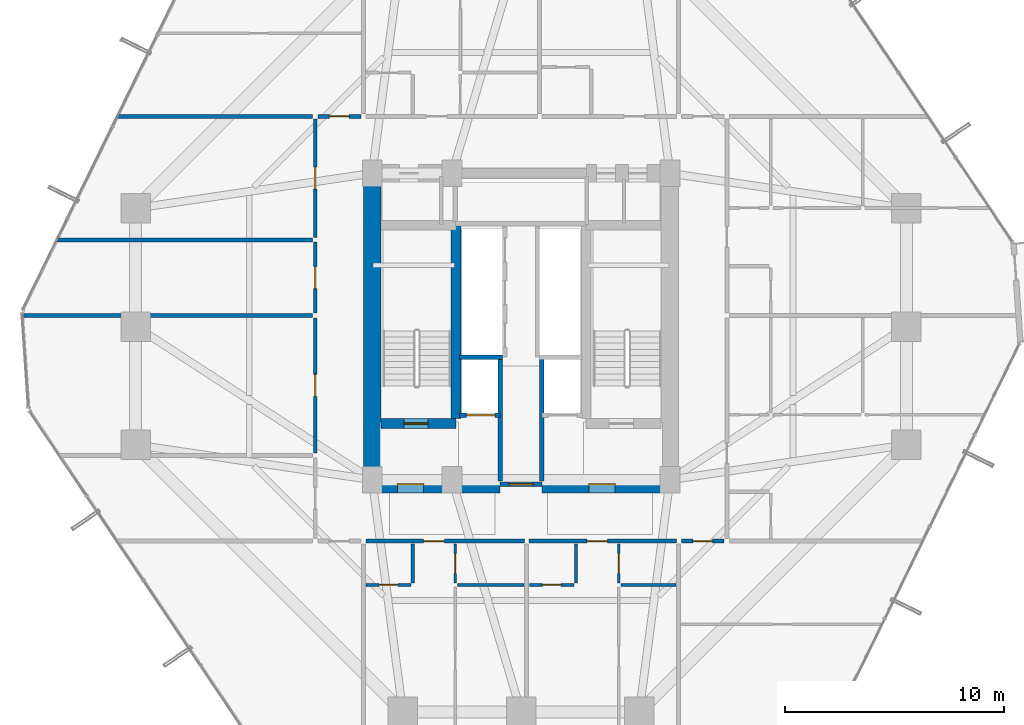
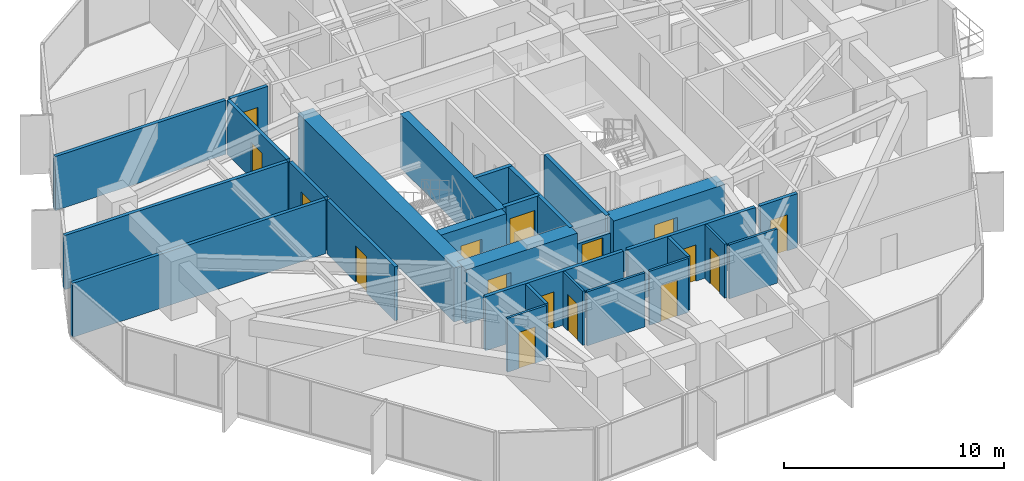
# One storey, part 33 of 37: 28 walls, 16 doors, 16 openings.
"""IFC4 building model written with IfcOpenShell, lengths in metres."""

import ifcopenshell
import ifcopenshell.guid

model = None  # the IFC model being written
_history = None  # IfcOwnerHistory: only IFC2X3 demands one
_inside = {}  # id of a spatial element -> (the spatial element, [elements in it])
_under = {}  # id of a project, library or spatial element -> (it, [spatial elements below it])
_declared = {}  # id of a project -> (the project, [libraries it declares])
_typed = {}  # id of a type object -> (the type object, [elements of that type])
_made_of = {}  # id of a material, layer set ... -> (it, [elements and type objects made of it])


def new_model(schema):
    """Start an empty IFC model of exactly this schema.

    Asked for "IFC4X3", IfcOpenShell would pick the latest addendum, in which some entities
    have other attributes; the version numbers below select the first issue.
    IFC2X3 requires an IfcOwnerHistory on every rooted entity: one is made here for all.
    """
    global model, _history
    if schema == "IFC4X3":
        model = ifcopenshell.file(schema_version=(4, 3, 0, 0))
    else:
        model = ifcopenshell.file(schema=schema)
    _inside.clear()
    _under.clear()
    _declared.clear()
    _typed.clear()
    _made_of.clear()
    _history = None
    if model.schema == "IFC2X3":
        org = make("IfcOrganization", Name="unknown")
        user = make(
            "IfcPersonAndOrganization",
            ThePerson=make("IfcPerson", FamilyName="unknown"),
            TheOrganization=org,
        )
        app = make(
            "IfcApplication",
            ApplicationDeveloper=org,
            Version="unknown",
            ApplicationFullName="unknown",
            ApplicationIdentifier="unknown",
        )
        _history = make(
            "IfcOwnerHistory",
            OwningUser=user,
            OwningApplication=app,
            ChangeAction="ADDED",
            CreationDate=0,
        )
    return model


def make(cls, **values):
    """One entity of the class cls with the attributes given. An attribute that is None is left unset."""
    return model.create_entity(
        cls, **{name: value for name, value in values.items() if value is not None}
    )


def rooted(cls, **values):
    """An entity with a GlobalId (a new one), such as an element, a storey or a relation."""
    return make(cls, GlobalId=ifcopenshell.guid.new(), OwnerHistory=_history, **values)


def si_unit(unit_type, name, prefix=None):
    """IfcSIUnit, for example si_unit("LENGTHUNIT", "METRE", prefix="MILLI")."""
    return make("IfcSIUnit", UnitType=unit_type, Prefix=prefix, Name=name)


def assignment(units):
    """IfcUnitAssignment: the units of a project."""
    return None if units is None else make("IfcUnitAssignment", Units=units)


def point(xyz):
    """IfcCartesianPoint."""
    return None if xyz is None else make("IfcCartesianPoint", Coordinates=xyz)


def direction(xyz):
    """IfcDirection."""
    return None if xyz is None else make("IfcDirection", DirectionRatios=xyz)


def frame(location, z_axis=None, x_axis=None):
    """IfcAxis2Placement3D, a coordinate frame: its origin and axes. An axis left out is left unset."""
    return make(
        "IfcAxis2Placement3D",
        Location=point(location),
        Axis=direction(z_axis),
        RefDirection=direction(x_axis),
    )


def frame_2d(location, x_axis=None):
    """IfcAxis2Placement2D, a coordinate frame in the plane: its origin and x axis."""
    return make(
        "IfcAxis2Placement2D", Location=point(location), RefDirection=direction(x_axis)
    )


def origin():
    """The frame at (0, 0, 0) with its axes left unset."""
    return frame((0.0, 0.0, 0.0))


def place(relative_to, where):
    """IfcLocalPlacement: puts the frame where relative to a parent placement (None: the world)."""
    return make(
        "IfcLocalPlacement", PlacementRelTo=relative_to, RelativePlacement=where
    )


def context(
    kind, dimensions, precision=None, world=None, true_north=None, identifier=None
):
    """IfcGeometricRepresentationContext, for example the 3D "Model" context."""
    return make(
        "IfcGeometricRepresentationContext",
        ContextIdentifier=identifier,
        ContextType=kind,
        CoordinateSpaceDimension=dimensions,
        Precision=precision,
        WorldCoordinateSystem=world,
        TrueNorth=true_north,
    )


def subcontext(parent, identifier, kind, view, scale=None):
    """IfcGeometricRepresentationSubContext, for example "Body" below "Model"."""
    return make(
        "IfcGeometricRepresentationSubContext",
        ContextIdentifier=identifier,
        ContextType=kind,
        ParentContext=parent,
        TargetScale=scale,
        TargetView=view,
    )


def project(units=None, contexts=None):
    """IfcProject with its units and contexts."""
    return rooted(
        "IfcProject",
        Name="project",
        RepresentationContexts=contexts,
        UnitsInContext=assignment(units),
    )


def spatial(cls, under=None, at=None, **own):
    """A site, building, storey or space (cls), placed at a placement, below another one or the project."""
    s = rooted(cls, ObjectPlacement=at, **own)
    if under is not None:
        _under.setdefault(under.id(), (under, []))[1].append(s)
    return s


def profile(cls, at=None, kind="AREA", **sizes):
    """A parametric profile (cls). Its sizes go by their IFC names, for example OverallWidth=200.0."""
    return make(cls, ProfileType=kind, Position=at, **sizes)


def rectangle(**sizes):
    """IfcRectangleProfileDef."""
    return profile("IfcRectangleProfileDef", **sizes)


def extrude(swept, where, along, depth):
    """IfcExtrudedAreaSolid: the profile swept, set in the frame where, extruded along a direction by depth."""
    return make(
        "IfcExtrudedAreaSolid",
        SweptArea=swept,
        Position=where,
        ExtrudedDirection=direction(along),
        Depth=depth,
    )


def shape(context_of_items, identifier, shape_type, items):
    """IfcShapeRepresentation: the items that make up one representation, for example the "Body"."""
    return make(
        "IfcShapeRepresentation",
        ContextOfItems=context_of_items,
        RepresentationIdentifier=identifier,
        RepresentationType=shape_type,
        Items=items,
    )


def source(mapping_origin, context_of_items, identifier, shape_type, items):
    """IfcRepresentationMap: a shape defined once, which mapped items show again and again."""
    return make(
        "IfcRepresentationMap",
        MappingOrigin=mapping_origin,
        MappedRepresentation=shape(context_of_items, identifier, shape_type, items),
    )


def transform(
    local_origin,
    x_axis=None,
    y_axis=None,
    z_axis=None,
    scale=None,
    scale2=None,
    scale3=None,
    uniform=True,
):
    """IfcCartesianTransformationOperator3D, or its non-uniform kind. x_axis, y_axis, z_axis: its Axis1, 2, 3."""
    if uniform:
        return make(
            "IfcCartesianTransformationOperator3D",
            Axis1=direction(x_axis),
            Axis2=direction(y_axis),
            LocalOrigin=point(local_origin),
            Scale=scale,
            Axis3=direction(z_axis),
        )
    return make(
        "IfcCartesianTransformationOperator3DnonUniform",
        Axis1=direction(x_axis),
        Axis2=direction(y_axis),
        LocalOrigin=point(local_origin),
        Scale=scale,
        Axis3=direction(z_axis),
        Scale2=scale2,
        Scale3=scale3,
    )


def mapped(mapping_source, mapping_target):
    """IfcMappedItem: shows the shape of a source again, moved by a transform."""
    return make(
        "IfcMappedItem", MappingSource=mapping_source, MappingTarget=mapping_target
    )


def material(Name=None, Category=None):
    """IfcMaterial."""
    return make("IfcMaterial", Name=Name, Category=Category)


def layer(
    of_material, thickness, ventilated=None, Name=None, Category=None, Priority=None
):
    """IfcMaterialLayer: one layer of a wall or slab, of a material (None: an air gap)."""
    return make(
        "IfcMaterialLayer",
        Material=of_material,
        LayerThickness=thickness,
        IsVentilated=ventilated,
        Name=Name,
        Category=Category,
        Priority=Priority,
    )


def layer_set(layers, Name=None):
    """IfcMaterialLayerSet."""
    return make("IfcMaterialLayerSet", MaterialLayers=layers, LayerSetName=Name)


def made_of(thing, what):
    """Note that an element or type object is made of a material, layer set ...; save() writes the relation."""
    if what is not None:
        _made_of.setdefault(what.id(), (what, []))[1].append(thing)
    return thing


def type_object(cls, material=None, **own):
    """A type object (cls), such as IfcWallType, which elements share."""
    return made_of(rooted(cls, **own), material)


def element(
    cls,
    number,
    at=None,
    inside=None,
    cuts=None,
    type_object=None,
    material=None,
    context=None,
    identifier="Body",
    shape_type=None,
    held_by="IfcProductDefinitionShape",
    body=None,
    shapes=None,
    **own,
):
    """One element of the class cls, such as IfcWall. Its Tag is "e" and its number.

    at: its placement. inside: the storey or other place that contains it. cuts: it is an
    opening in that element (IfcRelVoidsElement). A single representation is given by context,
    identifier, shape_type and body (its items); several are given by shapes. held_by: the class
    of the entity that holds the representations. save() writes the other relations.
    """
    e = rooted(cls, Tag="e%d" % number, ObjectPlacement=at, **own)
    if body is not None:
        shapes = [shape(context, identifier, shape_type, body)]
    if shapes is not None:
        e.Representation = make(held_by, Representations=shapes)
    if inside is not None:
        _inside.setdefault(inside.id(), (inside, []))[1].append(e)
    if cuts is not None:
        rooted(
            "IfcRelVoidsElement", RelatingBuildingElement=cuts, RelatedOpeningElement=e
        )
    if type_object is not None:
        _typed.setdefault(type_object.id(), (type_object, []))[1].append(e)
    return made_of(e, material)


def fill(opening, filler):
    """IfcRelFillsElement: the door or window that sits in an opening."""
    return rooted(
        "IfcRelFillsElement",
        RelatingOpeningElement=opening,
        RelatedBuildingElement=filler,
    )


def aggregate(whole, parts):
    """IfcRelAggregates: a whole, such as a stair, and the parts it consists of."""
    return rooted("IfcRelAggregates", RelatingObject=whole, RelatedObjects=parts)


def save(model, path):
    """Write the relations noted so far, then the file.

    IfcRelAggregates (storeys below a building ...), IfcRelContainedInSpatialStructure (elements
    in a storey), IfcRelDefinesByType, IfcRelAssociatesMaterial and IfcRelDeclares: one each for
    every whole, place, type object, material and project.
    """
    for whole, parts in _under.values():
        aggregate(whole, parts)
    for where, things in _inside.values():
        rooted(
            "IfcRelContainedInSpatialStructure",
            RelatedElements=things,
            RelatingStructure=where,
        )
    for kind, things in _typed.values():
        rooted("IfcRelDefinesByType", RelatedObjects=things, RelatingType=kind)
    for what, things in _made_of.values():
        rooted("IfcRelAssociatesMaterial", RelatedObjects=things, RelatingMaterial=what)
    for by, libraries in _declared.values():
        rooted("IfcRelDeclares", RelatingContext=by, RelatedDefinitions=libraries)
    model.write(path)


model = new_model("IFC4")

# Units and contexts
model_context = context("Model", 3, precision=1e-05, world=origin(), true_north=direction((0.0, 1.0)))
body_context = subcontext(model_context, "Body", "Model", "MODEL_VIEW")
ifc_project = project(units=[si_unit("LENGTHUNIT", "METRE"), si_unit("AREAUNIT", "SQUARE_METRE"), si_unit("VOLUMEUNIT", "CUBIC_METRE"), si_unit("PLANEANGLEUNIT", "RADIAN"), si_unit("MASSUNIT", "GRAM", prefix="KILO")], contexts=[model_context])

# Site, building, storey
site_placement = place(None, origin())
site = spatial("IfcSite", under=ifc_project, at=site_placement, CompositionType="ELEMENT")
building_placement = place(site_placement, origin())
building = spatial("IfcBuilding", under=site, at=building_placement, Name="Veraguas Prism Commons", CompositionType="ELEMENT")
storey_placement = place(building_placement, frame((0.0, 0.0, 37.050048828125)))
storey = spatial("IfcBuildingStorey", under=building, at=storey_placement, Name="L09", CompositionType="ELEMENT", Elevation=37.050048828125)

# Wall, opening, door
ifc_material_1 = material(Name="Concrete C60/75", Category="concrete")
ifc_layer_1 = layer(ifc_material_1, 0.449951171875, Name="Core Internal Shear Wall Lower RC 450", Category="concrete")
ifc_layer_set_1 = layer_set([ifc_layer_1], Name="Concrete C60/75")
wall_type_1 = type_object("IfcWallType", Name="Core Internal Shear Wall Lower RC 450", PredefinedType="SHEAR", material=ifc_layer_set_1)
wall_1_placement = place(storey_placement, frame((17.60009765625, 19.574951171875, 0.0), z_axis=(0.0, 0.0, 1.0), x_axis=(1.0, 0.0, 0.0)))
wall_1 = element("IfcWall", 1, at=wall_1_placement, inside=storey, type_object=wall_type_1, Name="Stair ST-01 South Shear Wall L09", PredefinedType="SHEAR", context=body_context, shape_type="SweptSolid", body=[
    extrude(rectangle(XDim=3.4248046875, YDim=0.449951171875, at=frame_2d((1.71240234375, 0.0))), origin(), (0.0, 0.0, 1.0), 3.0),
])
opening_1_placement = place(wall_1_placement, frame((1.050048828125, 0.0, 0.0)))
opening_1 = element("IfcOpeningElement", 2, at=opening_1_placement, cuts=wall_1, Name="Opening DR-05", PredefinedType="OPENING", context=body_context, shape_type="SweptSolid", body=[
    extrude(rectangle(XDim=1.10009765625, YDim=2.030029296875, at=frame_2d((0.550048828125, 1.01513671875))), frame((0.0, 0.23486328125, 0.0), z_axis=(0.0, -1.0, 0.0), x_axis=(1.0, 0.0, 0.0)), (0.0, 0.0, 1.0), 0.469970703125),
])
ifc_material_2 = material(Name="Steel fire-rated door assembly", Category="steel")
door_type_1 = type_object("IfcDoorType", Name="Protected Stair and Refuge Fire Door 1100x2030", OperationType="NOTDEFINED", PredefinedType="DOOR", material=ifc_material_2)
shared_shape_1 = source(origin(), body_context, "Body", "SweptSolid", [
    extrude(rectangle(XDim=1.10009765625, YDim=2.030029296875, at=frame_2d((0.550048828125, 1.01513671875))), frame((0.0, 0.02490234375, 0.0), z_axis=(0.0, -1.0, 0.0), x_axis=(1.0, 0.0, 0.0)), (0.0, 0.0, 1.0), 0.050048828125),
])
door_1_placement = place(opening_1_placement, origin())
door_1 = element("IfcDoor", 3, at=door_1_placement, inside=storey, type_object=door_type_1, Name="Stair ST-01 Enclosure Door L09", OperationType="SINGLE_SWING_LEFT", OverallHeight=2.030029296875, OverallWidth=1.10009765625, PredefinedType="DOOR", context=body_context, shape_type="MappedRepresentation", body=[
    mapped(shared_shape_1, transform((0.0, 0.0, 0.0), scale=1.0)),
])
fill(opening_1, door_1)

# Walls
wall_2_placement = place(storey_placement, frame((21.02490234375, 19.800048828125, 0.0), z_axis=(0.0, 0.0, 1.0), x_axis=(0.0, 1.0, 0.0)))
element("IfcWall", 4, at=wall_2_placement, inside=storey, type_object=wall_type_1, Name="Stair ST-01 Inner Shear Wall L09", PredefinedType="SHEAR", context=body_context, shape_type="SweptSolid", body=[
    extrude(rectangle(XDim=8.824951171875, YDim=0.449951171875, at=frame_2d((4.41259765625, 0.0))), origin(), (0.0, 0.0, 1.0), 3.0),
])
ifc_layer_2 = layer(ifc_material_1, 0.800048828125, Name="Core Outer Shear Wall Lower RC 800", Category="concrete")
ifc_layer_set_2 = layer_set([ifc_layer_2], Name="Concrete C60/75")
wall_type_2 = type_object("IfcWallType", Name="Core Outer Shear Wall Lower RC 800", PredefinedType="SHEAR", material=ifc_layer_set_2)
wall_3_placement = place(storey_placement, frame((17.199951171875, 16.800048828125, 0.0), z_axis=(0.0, 0.0, 1.0), x_axis=(0.0, 1.0, 0.0)))
element("IfcWall", 5, at=wall_3_placement, inside=storey, type_object=wall_type_2, Name="Central Core West Shear Wall L09", PredefinedType="SHEAR", context=body_context, shape_type="SweptSolid", body=[
    extrude(rectangle(XDim=14.199951171875, YDim=0.800048828125, at=frame_2d((7.10009765625, 0.0))), origin(), (0.0, 0.0, 1.0), 3.0),
])

# Wall, opening, door
wall_4_placement = place(storey_placement, frame((17.199951171875, 16.800048828125, 0.0), z_axis=(0.0, 0.0, 1.0), x_axis=(1.0, 0.0, 0.0)))
wall_4 = element("IfcWall", 6, at=wall_4_placement, inside=storey, type_object=wall_type_2, Name="Central Core South-West Shear Wall L09", PredefinedType="SHEAR", context=body_context, shape_type="SweptSolid", body=[
    extrude(rectangle(XDim=5.85009765625, YDim=0.800048828125, at=frame_2d((2.925048828125, 0.0))), origin(), (0.0, 0.0, 1.0), 3.0),
])
opening_2_placement = place(wall_4_placement, frame((1.14990234375, 0.0, 0.0)))
opening_2 = element("IfcOpeningElement", 7, at=opening_2_placement, cuts=wall_4, Name="Opening DR-06", PredefinedType="OPENING", context=body_context, shape_type="SweptSolid", body=[
    extrude(rectangle(XDim=1.199951171875, YDim=2.030029296875, at=frame_2d((0.60009765625, 1.01513671875))), frame((0.0, 0.409912109375, 0.0), z_axis=(0.0, -1.0, 0.0), x_axis=(1.0, 0.0, 0.0)), (0.0, 0.0, 1.0), 0.820068359375),
])
door_type_2 = type_object("IfcDoorType", Name="Firefighting Lobby Smoke Door 1200x2030", OperationType="NOTDEFINED", PredefinedType="DOOR", material=ifc_material_2)
shared_shape_2 = source(origin(), body_context, "Body", "SweptSolid", [
    extrude(rectangle(XDim=1.199951171875, YDim=2.030029296875, at=frame_2d((0.60009765625, 1.01513671875))), frame((0.0, 0.02490234375, 0.0), z_axis=(0.0, -1.0, 0.0), x_axis=(1.0, 0.0, 0.0)), (0.0, 0.0, 1.0), 0.050048828125),
])
door_2_placement = place(opening_2_placement, origin())
door_2 = element("IfcDoor", 8, at=door_2_placement, inside=storey, type_object=door_type_2, Name="West FF Lobby Door L09", OperationType="SINGLE_SWING_LEFT", OverallHeight=2.030029296875, OverallWidth=1.199951171875, PredefinedType="DOOR", context=body_context, shape_type="MappedRepresentation", body=[
    mapped(shared_shape_2, transform((0.0, 0.0, 0.0), scale=1.0)),
])
fill(opening_2, door_2)

wall_5_placement = place(storey_placement, frame((24.949951171875, 16.800048828125, 0.0), z_axis=(0.0, 0.0, 1.0), x_axis=(1.0, 0.0, 0.0)))
wall_5 = element("IfcWall", 9, at=wall_5_placement, inside=storey, type_object=wall_type_2, Name="Central Core South-East Shear Wall L09", PredefinedType="SHEAR", context=body_context, shape_type="SweptSolid", body=[
    extrude(rectangle(XDim=5.85009765625, YDim=0.800048828125, at=frame_2d((2.925048828125, 0.0))), origin(), (0.0, 0.0, 1.0), 3.0),
])
opening_3_placement = place(wall_5_placement, frame((2.14990234375, 0.0, 0.0)))
opening_3 = element("IfcOpeningElement", 10, at=opening_3_placement, cuts=wall_5, Name="Opening DR-06", PredefinedType="OPENING", context=body_context, shape_type="SweptSolid", body=[
    extrude(rectangle(XDim=1.199951171875, YDim=2.030029296875, at=frame_2d((0.60009765625, 1.01513671875))), frame((0.0, 0.409912109375, 0.0), z_axis=(0.0, -1.0, 0.0), x_axis=(1.0, 0.0, 0.0)), (0.0, 0.0, 1.0), 0.820068359375),
])
door_3_placement = place(opening_3_placement, origin())
door_3 = element("IfcDoor", 11, at=door_3_placement, inside=storey, type_object=door_type_2, Name="East FF Lobby Door L09", OperationType="SINGLE_SWING_LEFT", OverallHeight=2.030029296875, OverallWidth=1.199951171875, PredefinedType="DOOR", context=body_context, shape_type="MappedRepresentation", body=[
    mapped(shared_shape_2, transform((0.0, 0.0, 0.0), scale=1.0)),
])
fill(opening_3, door_3)

ifc_material_3 = material(Name="Autoclaved aerated masonry block 10 MPa", Category="masonry")
ifc_layer_3 = layer(ifc_material_3, 0.179931640625, Name="Corridor and Inter-Tenancy Partition 180", Category="masonry")
ifc_layer_set_3 = layer_set([ifc_layer_3], Name="Autoclaved aerated masonry block 10 MPa")
wall_type_3 = type_object("IfcWallType", Name="Corridor and Inter-Tenancy Partition 180", PredefinedType="PARTITIONING", material=ifc_layer_set_3)
wall_6_placement = place(storey_placement, frame((16.909912109375, 14.199951171875, 0.0), z_axis=(0.0, 0.0, 1.0), x_axis=(1.0, 0.0, 0.0)))
wall_6 = element("IfcWall", 12, at=wall_6_placement, inside=storey, type_object=wall_type_3, Name="WL-L09-PT003", PredefinedType="PARTITIONING", context=body_context, shape_type="SweptSolid", body=[
    extrude(rectangle(XDim=7.238037109375, YDim=0.179931640625, at=frame_2d((3.619140625, 0.0))), origin(), (0.0, 0.0, 1.0), 3.0),
])
opening_4_placement = place(wall_6_placement, frame((2.639892578125, 0.0, 0.0)))
opening_4 = element("IfcOpeningElement", 13, at=opening_4_placement, cuts=wall_6, Name="Opening DR-01", PredefinedType="OPENING", context=body_context, shape_type="SweptSolid", body=[
    extrude(rectangle(XDim=0.949951171875, YDim=2.02001953125, at=frame_2d((0.47509765625, 1.010009765625))), frame((0.0, 0.099853515625, 0.0), z_axis=(0.0, -1.0, 0.0), x_axis=(1.0, 0.0, 0.0)), (0.0, 0.0, 1.0), 0.199951171875),
])
ifc_material_4 = material(Name="Anodised aluminium EN AW-6063 T6", Category="aluminium")
door_type_3 = type_object("IfcDoorType", Name="Apartment Entrance Fire Door 950x2020", OperationType="NOTDEFINED", PredefinedType="DOOR", material=ifc_material_4)
shared_shape_3 = source(origin(), body_context, "Body", "SweptSolid", [
    extrude(rectangle(XDim=0.949951171875, YDim=2.02001953125, at=frame_2d((0.47509765625, 1.010009765625))), frame((0.0, 0.02490234375, 0.0), z_axis=(0.0, -1.0, 0.0), x_axis=(1.0, 0.0, 0.0)), (0.0, 0.0, 1.0), 0.050048828125),
])
door_4_placement = place(opening_4_placement, origin())
door_4 = element("IfcDoor", 14, at=door_4_placement, inside=storey, type_object=door_type_3, Name="Flat 09A Entrance Door", OperationType="SINGLE_SWING_LEFT", OverallHeight=2.02001953125, OverallWidth=0.949951171875, PredefinedType="DOOR", context=body_context, shape_type="MappedRepresentation", body=[
    mapped(shared_shape_3, transform((0.0, 0.0, 0.0), scale=1.0)),
])
fill(opening_4, door_4)

wall_7_placement = place(storey_placement, frame((24.367919921875, 14.199951171875, 0.0), z_axis=(0.0, 0.0, 1.0), x_axis=(1.0, 0.0, 0.0)))
wall_7 = element("IfcWall", 15, at=wall_7_placement, inside=storey, type_object=wall_type_3, Name="WL-L09-PT010", PredefinedType="PARTITIONING", context=body_context, shape_type="SweptSolid", body=[
    extrude(rectangle(XDim=6.72216796875, YDim=0.179931640625, at=frame_2d((3.361083984375, 0.0))), origin(), (0.0, 0.0, 1.0), 3.0),
])
opening_5_placement = place(wall_7_placement, frame((2.639892578125, 0.0, 0.0)))
opening_5 = element("IfcOpeningElement", 16, at=opening_5_placement, cuts=wall_7, Name="Opening DR-01", PredefinedType="OPENING", context=body_context, shape_type="SweptSolid", body=[
    extrude(rectangle(XDim=0.949951171875, YDim=2.02001953125, at=frame_2d((0.47509765625, 1.010009765625))), frame((0.0, 0.099853515625, 0.0), z_axis=(0.0, -1.0, 0.0), x_axis=(1.0, 0.0, 0.0)), (0.0, 0.0, 1.0), 0.199951171875),
])
door_5_placement = place(opening_5_placement, origin())
door_5 = element("IfcDoor", 17, at=door_5_placement, inside=storey, type_object=door_type_3, Name="Flat 09B Entrance Door", OperationType="SINGLE_SWING_LEFT", OverallHeight=2.02001953125, OverallWidth=0.949951171875, PredefinedType="DOOR", context=body_context, shape_type="MappedRepresentation", body=[
    mapped(shared_shape_3, transform((0.0, 0.0, 0.0), scale=1.0)),
])
fill(opening_5, door_5)

# Wall
wall_8_placement = place(storey_placement, frame((14.47998046875, 33.60009765625, 0.0), z_axis=(0.0, 0.0, 1.0), x_axis=(-1.0, 0.0, 0.0)))
element("IfcWall", 18, at=wall_8_placement, inside=storey, type_object=wall_type_3, Name="WL-L09-PT029", PredefinedType="PARTITIONING", context=body_context, shape_type="SweptSolid", body=[
    extrude(rectangle(XDim=8.955322265625, YDim=0.179931640625, at=frame_2d((4.4775390625, 0.0))), origin(), (0.0, 0.0, 1.0), 3.0),
])

# Wall, opening, door
wall_9_placement = place(storey_placement, frame((14.60009765625, 18.22705078125, 0.0), z_axis=(0.0, 0.0, 1.0), x_axis=(0.0, 1.0, 0.0)))
wall_9 = element("IfcWall", 19, at=wall_9_placement, inside=storey, type_object=wall_type_3, Name="WL-L09-PT031", PredefinedType="PARTITIONING", context=body_context, shape_type="SweptSolid", body=[
    extrude(rectangle(XDim=6.1708984375, YDim=0.179931640625, at=frame_2d((3.08544921875, 0.0))), origin(), (0.0, 0.0, 1.0), 3.0),
])
opening_6_placement = place(wall_9_placement, frame((2.58544921875, 0.0, 0.0)))
opening_6 = element("IfcOpeningElement", 20, at=opening_6_placement, cuts=wall_9, Name="Opening DR-13", PredefinedType="OPENING", context=body_context, shape_type="SweptSolid", body=[
    extrude(rectangle(XDim=1.0, YDim=2.010009765625, at=frame_2d((0.5, 1.0048828125))), frame((0.0, 0.099853515625, 0.0), z_axis=(0.0, -1.0, 0.0), x_axis=(1.0, 0.0, 0.0)), (0.0, 0.0, 1.0), 0.199951171875),
])
door_type_4 = type_object("IfcDoorType", Name="Core Accessible WC and Clinic Fire Door 1000x2010", OperationType="NOTDEFINED", PredefinedType="DOOR", material=ifc_material_2)
shared_shape_4 = source(origin(), body_context, "Body", "SweptSolid", [
    extrude(rectangle(XDim=1.0, YDim=2.010009765625, at=frame_2d((0.5, 1.0048828125))), frame((0.0, 0.02490234375, 0.0), z_axis=(0.0, -1.0, 0.0), x_axis=(1.0, 0.0, 0.0)), (0.0, 0.0, 1.0), 0.050048828125),
])
door_6_placement = place(opening_6_placement, origin())
door_6 = element("IfcDoor", 21, at=door_6_placement, inside=storey, type_object=door_type_4, Name="Co-op Store W Door", OperationType="SINGLE_SWING_RIGHT", OverallHeight=2.010009765625, OverallWidth=1.0, PredefinedType="DOOR", context=body_context, shape_type="MappedRepresentation", body=[
    mapped(shared_shape_4, transform((0.0, 0.0, 0.0), scale=1.0)),
])
fill(opening_6, door_6)

# Wall
wall_10_placement = place(storey_placement, frame((14.47998046875, 24.508056640625, 0.0), z_axis=(0.0, 0.0, 1.0), x_axis=(-1.0, 0.0, 0.0)))
element("IfcWall", 22, at=wall_10_placement, inside=storey, type_object=wall_type_3, Name="WL-L09-PT033", PredefinedType="PARTITIONING", context=body_context, shape_type="SweptSolid", body=[
    extrude(rectangle(XDim=13.299072265625, YDim=0.179931640625, at=frame_2d((6.6494140625, 0.0))), origin(), (0.0, 0.0, 1.0), 3.0),
])

# Wall, opening, door
wall_11_placement = place(storey_placement, frame((14.60009765625, 24.617919921875, 0.0), z_axis=(0.0, 0.0, 1.0), x_axis=(0.0, 1.0, 0.0)))
wall_11 = element("IfcWall", 23, at=wall_11_placement, inside=storey, type_object=wall_type_3, Name="WL-L09-PT034", PredefinedType="PARTITIONING", context=body_context, shape_type="SweptSolid", body=[
    extrude(rectangle(XDim=3.235107421875, YDim=0.179931640625, at=frame_2d((1.61767578125, 0.0))), origin(), (0.0, 0.0, 1.0), 3.0),
])
opening_7_placement = place(wall_11_placement, frame((1.117431640625, 0.0, 0.0)))
opening_7 = element("IfcOpeningElement", 24, at=opening_7_placement, cuts=wall_11, Name="Opening DR-13", PredefinedType="OPENING", context=body_context, shape_type="SweptSolid", body=[
    extrude(rectangle(XDim=1.0, YDim=2.010009765625, at=frame_2d((0.5, 1.0048828125))), frame((0.0, 0.099853515625, 0.0), z_axis=(0.0, -1.0, 0.0), x_axis=(1.0, 0.0, 0.0)), (0.0, 0.0, 1.0), 0.199951171875),
])
door_7_placement = place(opening_7_placement, origin())
door_7 = element("IfcDoor", 25, at=door_7_placement, inside=storey, type_object=door_type_4, Name="Youth Homework Study Room Door", OperationType="SINGLE_SWING_LEFT", OverallHeight=2.010009765625, OverallWidth=1.0, PredefinedType="DOOR", context=body_context, shape_type="MappedRepresentation", body=[
    mapped(shared_shape_4, transform((0.0, 0.0, 0.0), scale=1.0)),
])
fill(opening_7, door_7)

wall_12_placement = place(storey_placement, frame((14.60009765625, 28.072998046875, 0.0), z_axis=(0.0, 0.0, 1.0), x_axis=(0.0, 1.0, 0.0)))
wall_12 = element("IfcWall", 26, at=wall_12_placement, inside=storey, type_object=wall_type_3, Name="WL-L09-PT035", PredefinedType="PARTITIONING", context=body_context, shape_type="SweptSolid", body=[
    extrude(rectangle(XDim=5.4169921875, YDim=0.179931640625, at=frame_2d((2.70849609375, 0.0))), origin(), (0.0, 0.0, 1.0), 3.0),
])
opening_8_placement = place(wall_12_placement, frame((2.20849609375, 0.0, 0.0)))
opening_8 = element("IfcOpeningElement", 27, at=opening_8_placement, cuts=wall_12, Name="Opening DR-13", PredefinedType="OPENING", context=body_context, shape_type="SweptSolid", body=[
    extrude(rectangle(XDim=1.0, YDim=2.010009765625, at=frame_2d((0.5, 1.0048828125))), frame((0.0, 0.099853515625, 0.0), z_axis=(0.0, -1.0, 0.0), x_axis=(1.0, 0.0, 0.0)), (0.0, 0.0, 1.0), 0.199951171875),
])
door_8_placement = place(opening_8_placement, origin())
door_8 = element("IfcDoor", 28, at=door_8_placement, inside=storey, type_object=door_type_4, Name="Co-op Store W Door", OperationType="SINGLE_SWING_RIGHT", OverallHeight=2.010009765625, OverallWidth=1.0, PredefinedType="DOOR", context=body_context, shape_type="MappedRepresentation", body=[
    mapped(shared_shape_4, transform((0.0, 0.0, 0.0), scale=1.0)),
])
fill(opening_8, door_8)

# Wall
wall_13_placement = place(storey_placement, frame((14.47998046875, 27.962890625, 0.0), z_axis=(0.0, 0.0, 1.0), x_axis=(-1.0, 0.0, 0.0)))
element("IfcWall", 29, at=wall_13_placement, inside=storey, type_object=wall_type_3, Name="WL-L09-PT036", PredefinedType="PARTITIONING", context=body_context, shape_type="SweptSolid", body=[
    extrude(rectangle(XDim=11.714599609375, YDim=0.179931640625, at=frame_2d((5.857421875, 0.0))), origin(), (0.0, 0.0, 1.0), 3.0),
])

# Wall, opening, door
wall_14_placement = place(storey_placement, frame((31.320068359375, 14.199951171875, 0.0), z_axis=(0.0, 0.0, 1.0), x_axis=(1.0, 0.0, 0.0)))
wall_14 = element("IfcWall", 30, at=wall_14_placement, inside=storey, type_object=wall_type_3, Name="WL-L09-PT057", PredefinedType="PARTITIONING", context=body_context, shape_type="SweptSolid", body=[
    extrude(rectangle(XDim=1.9599609375, YDim=0.179931640625, at=frame_2d((0.97998046875, 0.0))), origin(), (0.0, 0.0, 1.0), 3.0),
])
opening_9_placement = place(wall_14_placement, frame((0.530029296875, 0.0, 0.0)))
opening_9 = element("IfcOpeningElement", 31, at=opening_9_placement, cuts=wall_14, Name="Opening DR-14", PredefinedType="OPENING", context=body_context, shape_type="SweptSolid", body=[
    extrude(rectangle(XDim=0.89990234375, YDim=2.010009765625, at=frame_2d((0.449951171875, 1.0048828125))), frame((0.0, 0.099853515625, 0.0), z_axis=(0.0, -1.0, 0.0), x_axis=(1.0, 0.0, 0.0)), (0.0, 0.0, 1.0), 0.199951171875),
])
door_type_5 = type_object("IfcDoorType", Name="Core Service Room Fire Door 900x2010", OperationType="NOTDEFINED", PredefinedType="DOOR", material=ifc_material_2)
shared_shape_5 = source(origin(), body_context, "Body", "SweptSolid", [
    extrude(rectangle(XDim=0.89990234375, YDim=2.010009765625, at=frame_2d((0.449951171875, 1.0048828125))), frame((0.0, 0.02490234375, 0.0), z_axis=(0.0, -1.0, 0.0), x_axis=(1.0, 0.0, 0.0)), (0.0, 0.0, 1.0), 0.050048828125),
])
door_9_placement = place(opening_9_placement, origin())
door_9 = element("IfcDoor", 32, at=door_9_placement, inside=storey, type_object=door_type_5, Name="Shared Laundry Room Door", OperationType="SINGLE_SWING_RIGHT", OverallHeight=2.010009765625, OverallWidth=0.89990234375, PredefinedType="DOOR", context=body_context, shape_type="MappedRepresentation", body=[
    mapped(shared_shape_5, transform((0.0, 0.0, 0.0), scale=1.0)),
])
fill(opening_9, door_9)

wall_15_placement = place(storey_placement, frame((14.719970703125, 33.60009765625, 0.0), z_axis=(0.0, 0.0, 1.0), x_axis=(1.0, 0.0, 0.0)))
wall_15 = element("IfcWall", 33, at=wall_15_placement, inside=storey, type_object=wall_type_3, Name="WL-L09-PT059", PredefinedType="PARTITIONING", context=body_context, shape_type="SweptSolid", body=[
    extrude(rectangle(XDim=1.9599609375, YDim=0.179931640625, at=frame_2d((0.97998046875, 0.0))), origin(), (0.0, 0.0, 1.0), 3.0),
])
opening_10_placement = place(wall_15_placement, frame((0.530029296875, 0.0, 0.0)))
opening_10 = element("IfcOpeningElement", 34, at=opening_10_placement, cuts=wall_15, Name="Opening DR-14", PredefinedType="OPENING", context=body_context, shape_type="SweptSolid", body=[
    extrude(rectangle(XDim=0.89990234375, YDim=2.010009765625, at=frame_2d((0.449951171875, 1.0048828125))), frame((0.0, 0.099853515625, 0.0), z_axis=(0.0, -1.0, 0.0), x_axis=(1.0, 0.0, 0.0)), (0.0, 0.0, 1.0), 0.199951171875),
])
door_10_placement = place(opening_10_placement, origin())
door_10 = element("IfcDoor", 35, at=door_10_placement, inside=storey, type_object=door_type_5, Name="Community Co-op Kitchen Door", OperationType="SINGLE_SWING_RIGHT", OverallHeight=2.010009765625, OverallWidth=0.89990234375, PredefinedType="DOOR", context=body_context, shape_type="MappedRepresentation", body=[
    mapped(shared_shape_5, transform((0.0, 0.0, 0.0), scale=1.0)),
])
fill(opening_10, door_10)

ifc_material_5 = material(Name="Lightweight acoustic gypsum board")
ifc_layer_4 = layer(ifc_material_5, 0.125, Name="Internal Apartment Room Partition 125")
ifc_layer_set_4 = layer_set([ifc_layer_4], Name="Lightweight acoustic gypsum board")
wall_type_4 = type_object("IfcWallType", Name="Internal Apartment Room Partition 125", PredefinedType="PARTITIONING", material=ifc_layer_set_4)
wall_16_placement = place(storey_placement, frame((16.919921875, 12.199951171875, 0.0), z_axis=(0.0, 0.0, 1.0), x_axis=(1.0, 0.0, 0.0)))
wall_16 = element("IfcWall", 36, at=wall_16_placement, inside=storey, type_object=wall_type_4, Name="WL-L09-PT005", PredefinedType="PARTITIONING", context=body_context, shape_type="SweptSolid", body=[
    extrude(rectangle(XDim=2.050048828125, YDim=0.125, at=frame_2d((1.02490234375, 0.0))), origin(), (0.0, 0.0, 1.0), 3.0),
])
opening_11_placement = place(wall_16_placement, frame((0.594970703125, 0.0, 0.0)))
opening_11 = element("IfcOpeningElement", 37, at=opening_11_placement, cuts=wall_16, Name="Opening DR-03", PredefinedType="OPENING", context=body_context, shape_type="SweptSolid", body=[
    extrude(rectangle(XDim=0.860107421875, YDim=2.010009765625, at=frame_2d((0.43017578125, 1.0048828125))), frame((0.0, 0.072509765625, 0.0), z_axis=(0.0, -1.0, 0.0), x_axis=(1.0, 0.0, 0.0)), (0.0, 0.0, 1.0), 0.14501953125),
])
ifc_material_6 = material(Name="Timber moisture-resistant leaf", Category="wood")
door_type_6 = type_object("IfcDoorType", Name="Internal Bathroom Door 860x2010", OperationType="NOTDEFINED", PredefinedType="DOOR", material=ifc_material_6)
shared_shape_6 = source(origin(), body_context, "Body", "SweptSolid", [
    extrude(rectangle(XDim=0.860107421875, YDim=2.010009765625, at=frame_2d((0.43017578125, 1.0048828125))), frame((0.0, 0.02490234375, 0.0), z_axis=(0.0, -1.0, 0.0), x_axis=(1.0, 0.0, 0.0)), (0.0, 0.0, 1.0), 0.050048828125),
])
door_11_placement = place(opening_11_placement, origin())
door_11 = element("IfcDoor", 38, at=door_11_placement, inside=storey, type_object=door_type_6, Name="Flat 09A Bathroom Door", OperationType="SINGLE_SWING_RIGHT", OverallHeight=2.010009765625, OverallWidth=0.860107421875, PredefinedType="DOOR", context=body_context, shape_type="MappedRepresentation", body=[
    mapped(shared_shape_6, transform((0.0, 0.0, 0.0), scale=1.0)),
])
fill(opening_11, door_11)

wall_17_placement = place(storey_placement, frame((21.0, 14.080078125, 0.0), z_axis=(0.0, 0.0, 1.0), x_axis=(0.0, -1.0, 0.0)))
wall_17 = element("IfcWall", 39, at=wall_17_placement, inside=storey, type_object=wall_type_4, Name="WL-L09-PT006", PredefinedType="PARTITIONING", context=body_context, shape_type="SweptSolid", body=[
    extrude(rectangle(XDim=1.800048828125, YDim=0.125, at=frame_2d((0.89990234375, 0.0))), origin(), (0.0, 0.0, 1.0), 3.0),
])
opening_12_placement = place(wall_17_placement, frame((0.449951171875, 0.0, 0.0)))
opening_12 = element("IfcOpeningElement", 40, at=opening_12_placement, cuts=wall_17, Name="Opening DR-02", PredefinedType="OPENING", context=body_context, shape_type="SweptSolid", body=[
    extrude(rectangle(XDim=0.89990234375, YDim=2.010009765625, at=frame_2d((0.449951171875, 1.0048828125))), frame((0.0, 0.072509765625, 0.0), z_axis=(0.0, -1.0, 0.0), x_axis=(1.0, 0.0, 0.0)), (0.0, 0.0, 1.0), 0.14501953125),
])
ifc_material_7 = material(Name="Timber solid core hardwood", Category="wood")
door_type_7 = type_object("IfcDoorType", Name="Internal Habitable Room Door 900x2010", OperationType="NOTDEFINED", PredefinedType="DOOR", material=ifc_material_7)
door_12_placement = place(opening_12_placement, origin())
door_12 = element("IfcDoor", 41, at=door_12_placement, inside=storey, type_object=door_type_7, Name="Flat 09A Kitchen Door", OperationType="SINGLE_SWING_LEFT", OverallHeight=2.010009765625, OverallWidth=0.89990234375, PredefinedType="DOOR", context=body_context, shape_type="MappedRepresentation", body=[
    mapped(shared_shape_5, transform((0.0, 0.0, 0.0), scale=1.0)),
])
fill(opening_12, door_12)

# Wall
wall_18_placement = place(storey_placement, frame((21.10009765625, 12.199951171875, 0.0), z_axis=(0.0, 0.0, 1.0), x_axis=(1.0, 0.0, 0.0)))
element("IfcWall", 42, at=wall_18_placement, inside=storey, type_object=wall_type_4, Name="WL-L09-PT007", PredefinedType="PARTITIONING", context=body_context, shape_type="SweptSolid", body=[
    extrude(rectangle(XDim=3.037841796875, YDim=0.125, at=frame_2d((1.51904296875, 0.0))), origin(), (0.0, 0.0, 1.0), 3.0),
])

# Wall, opening, door
wall_19_placement = place(storey_placement, frame((24.3779296875, 12.199951171875, 0.0), z_axis=(0.0, 0.0, 1.0), x_axis=(1.0, 0.0, 0.0)))
wall_19 = element("IfcWall", 43, at=wall_19_placement, inside=storey, type_object=wall_type_4, Name="WL-L09-PT012", PredefinedType="PARTITIONING", context=body_context, shape_type="SweptSolid", body=[
    extrude(rectangle(XDim=2.050048828125, YDim=0.125, at=frame_2d((1.02490234375, 0.0))), origin(), (0.0, 0.0, 1.0), 3.0),
])
opening_13_placement = place(wall_19_placement, frame((0.594970703125, 0.0, 0.0)))
opening_13 = element("IfcOpeningElement", 44, at=opening_13_placement, cuts=wall_19, Name="Opening DR-03", PredefinedType="OPENING", context=body_context, shape_type="SweptSolid", body=[
    extrude(rectangle(XDim=0.860107421875, YDim=2.010009765625, at=frame_2d((0.43017578125, 1.0048828125))), frame((0.0, 0.072509765625, 0.0), z_axis=(0.0, -1.0, 0.0), x_axis=(1.0, 0.0, 0.0)), (0.0, 0.0, 1.0), 0.14501953125),
])
door_13_placement = place(opening_13_placement, origin())
door_13 = element("IfcDoor", 45, at=door_13_placement, inside=storey, type_object=door_type_6, Name="Flat 09B Bathroom Door", OperationType="SINGLE_SWING_RIGHT", OverallHeight=2.010009765625, OverallWidth=0.860107421875, PredefinedType="DOOR", context=body_context, shape_type="MappedRepresentation", body=[
    mapped(shared_shape_6, transform((0.0, 0.0, 0.0), scale=1.0)),
])
fill(opening_13, door_13)

wall_20_placement = place(storey_placement, frame((28.4580078125, 14.080078125, 0.0), z_axis=(0.0, 0.0, 1.0), x_axis=(0.0, -1.0, 0.0)))
wall_20 = element("IfcWall", 46, at=wall_20_placement, inside=storey, type_object=wall_type_4, Name="WL-L09-PT013", PredefinedType="PARTITIONING", context=body_context, shape_type="SweptSolid", body=[
    extrude(rectangle(XDim=1.800048828125, YDim=0.125, at=frame_2d((0.89990234375, 0.0))), origin(), (0.0, 0.0, 1.0), 3.0),
])
opening_14_placement = place(wall_20_placement, frame((0.449951171875, 0.0, 0.0)))
opening_14 = element("IfcOpeningElement", 47, at=opening_14_placement, cuts=wall_20, Name="Opening DR-02", PredefinedType="OPENING", context=body_context, shape_type="SweptSolid", body=[
    extrude(rectangle(XDim=0.89990234375, YDim=2.010009765625, at=frame_2d((0.449951171875, 1.0048828125))), frame((0.0, 0.072509765625, 0.0), z_axis=(0.0, -1.0, 0.0), x_axis=(1.0, 0.0, 0.0)), (0.0, 0.0, 1.0), 0.14501953125),
])
door_14_placement = place(opening_14_placement, origin())
door_14 = element("IfcDoor", 48, at=door_14_placement, inside=storey, type_object=door_type_7, Name="Flat 09B Kitchen Door", OperationType="SINGLE_SWING_LEFT", OverallHeight=2.010009765625, OverallWidth=0.89990234375, PredefinedType="DOOR", context=body_context, shape_type="MappedRepresentation", body=[
    mapped(shared_shape_5, transform((0.0, 0.0, 0.0), scale=1.0)),
])
fill(opening_14, door_14)

# Wall
wall_21_placement = place(storey_placement, frame((28.55810546875, 12.199951171875, 0.0), z_axis=(0.0, 0.0, 1.0), x_axis=(1.0, 0.0, 0.0)))
element("IfcWall", 49, at=wall_21_placement, inside=storey, type_object=wall_type_4, Name="WL-L09-PT014", PredefinedType="PARTITIONING", context=body_context, shape_type="SweptSolid", body=[
    extrude(rectangle(XDim=2.52197265625, YDim=0.125, at=frame_2d((1.260986328125, 0.0))), origin(), (0.0, 0.0, 1.0), 3.0),
])

# Wall, opening, door
ifc_layer_5 = layer(ifc_material_3, 0.199951171875, Name="Rated Shaft and Lobby Block Wall 200", Category="masonry")
ifc_layer_set_5 = layer_set([ifc_layer_5], Name="Autoclaved aerated masonry block 10 MPa")
wall_type_5 = type_object("IfcWallType", Name="Rated Shaft and Lobby Block Wall 200", PredefinedType="SOLIDWALL", material=ifc_layer_set_5)
wall_22_placement = place(storey_placement, frame((23.050048828125, 16.800048828125, 0.0), z_axis=(0.0, 0.0, 1.0), x_axis=(1.0, 0.0, 0.0)))
wall_22 = element("IfcWall", 50, at=wall_22_placement, inside=storey, type_object=wall_type_5, Name="Central Core Lobby Entrance Wall L09", PredefinedType="SOLIDWALL", context=body_context, shape_type="SweptSolid", body=[
    extrude(rectangle(XDim=1.89990234375, YDim=0.199951171875, at=frame_2d((0.949951171875, 0.0))), origin(), (0.0, 0.0, 1.0), 2.14990234375),
])
opening_15_placement = place(wall_22_placement, frame((0.39990234375, 0.0, 0.0)))
opening_15 = element("IfcOpeningElement", 51, at=opening_15_placement, cuts=wall_22, Name="Opening DR-05", PredefinedType="OPENING", context=body_context, shape_type="SweptSolid", body=[
    extrude(rectangle(XDim=1.10009765625, YDim=2.030029296875, at=frame_2d((0.550048828125, 1.01513671875))), frame((0.0, 0.10986328125, 0.0), z_axis=(0.0, -1.0, 0.0), x_axis=(1.0, 0.0, 0.0)), (0.0, 0.0, 1.0), 0.219970703125),
])
door_15_placement = place(opening_15_placement, origin())
door_15 = element("IfcDoor", 52, at=door_15_placement, inside=storey, type_object=door_type_1, Name="Central Lobby Door L09", OperationType="SINGLE_SWING_RIGHT", OverallHeight=2.030029296875, OverallWidth=1.10009765625, PredefinedType="DOOR", context=body_context, shape_type="MappedRepresentation", body=[
    mapped(shared_shape_1, transform((0.0, 0.0, 0.0), scale=1.0)),
])
fill(opening_15, door_15)

wall_23_placement = place(storey_placement, frame((21.199951171875, 19.949951171875, 0.0), z_axis=(0.0, 0.0, 1.0), x_axis=(1.0, 0.0, 0.0)))
wall_23 = element("IfcWall", 53, at=wall_23_placement, inside=storey, type_object=wall_type_5, Name="Firefighting Lift FFL-1 Front Wall L09", PredefinedType="SOLIDWALL", context=body_context, shape_type="SweptSolid", body=[
    extrude(rectangle(XDim=1.85009765625, YDim=0.199951171875, at=frame_2d((0.925048828125, 0.0))), origin(), (0.0, 0.0, 1.0), 3.0),
])
opening_16_placement = place(wall_23_placement, frame((0.300048828125, 0.0, 0.0)))
opening_16 = element("IfcOpeningElement", 54, at=opening_16_placement, cuts=wall_23, Name="Opening LD-02", PredefinedType="OPENING", context=body_context, shape_type="SweptSolid", body=[
    extrude(rectangle(XDim=1.300048828125, YDim=2.25, at=frame_2d((0.64990234375, 1.125))), frame((0.0, 0.10986328125, 0.0), z_axis=(0.0, -1.0, 0.0), x_axis=(1.0, 0.0, 0.0)), (0.0, 0.0, 1.0), 0.219970703125),
])
ifc_material_8 = material(Name="Stainless steel AISI 316", Category="steel")
door_type_8 = type_object("IfcDoorType", Name="Firefighting Lift Sliding Landing Door 1300x2250", OperationType="NOTDEFINED", PredefinedType="DOOR", material=ifc_material_8)
shared_shape_7 = source(origin(), body_context, "Body", "SweptSolid", [
    extrude(rectangle(XDim=1.300048828125, YDim=2.25, at=frame_2d((0.64990234375, 1.125))), frame((0.0, 0.02490234375, 0.0), z_axis=(0.0, -1.0, 0.0), x_axis=(1.0, 0.0, 0.0)), (0.0, 0.0, 1.0), 0.050048828125),
])
door_16_placement = place(opening_16_placement, origin())
door_16 = element("IfcDoor", 55, at=door_16_placement, inside=storey, type_object=door_type_8, Name="Firefighting Lift FFL-1 Landing Door L09", OperationType="SLIDING_TO_LEFT", OverallHeight=2.25, OverallWidth=1.300048828125, PredefinedType="DOOR", context=body_context, shape_type="MappedRepresentation", body=[
    mapped(shared_shape_7, transform((0.0, 0.0, 0.0), scale=1.0)),
])
fill(opening_16, door_16)

# Walls
for number, where, z_axis, x_axis, name in (
    (56, (23.050048828125, 16.949951171875, 0.0), (0.0, 0.0, 1.0), (0.0, 1.0, 0.0), "West FF Lobby Divider Wall L09"),
    (57, (24.949951171875, 16.949951171875, 0.0), (0.0, 0.0, 1.0), (0.0, 1.0, 0.0), "East FF Lobby Divider Wall L09"),
):
    element("IfcWall", number, at=place(storey_placement, frame(where, z_axis=z_axis, x_axis=x_axis)), inside=storey, type_object=wall_type_5, Name=name, PredefinedType="SOLIDWALL", context=body_context, shape_type="SweptSolid", body=[
        extrude(rectangle(XDim=5.60009765625, YDim=0.199951171875, at=frame_2d((2.800048828125, 0.0))), origin(), (0.0, 0.0, 1.0), 3.0),
    ])
wall_24_placement = place(storey_placement, frame((21.199951171875, 22.60009765625, 0.0), z_axis=(0.0, 0.0, 1.0), x_axis=(1.0, 0.0, 0.0)))
element("IfcWall", 58, at=wall_24_placement, inside=storey, type_object=wall_type_5, Name="Firefighting Lift FFL-1 Rear Wall L09", PredefinedType="SOLIDWALL", context=body_context, shape_type="SweptSolid", body=[
    extrude(rectangle(XDim=1.949951171875, YDim=0.199951171875, at=frame_2d((0.97509765625, 0.0))), origin(), (0.0, 0.0, 1.0), 3.0),
])
ifc_layer_6 = layer(ifc_material_5, 0.14990234375, Name="Wet Room and Clinic Acoustic Partition 150")
ifc_layer_set_6 = layer_set([ifc_layer_6], Name="Lightweight acoustic gypsum board")
wall_type_6 = type_object("IfcWallType", Name="Wet Room and Clinic Acoustic Partition 150", PredefinedType="PARTITIONING", material=ifc_layer_set_6)
for number, where, z_axis, x_axis, name in (
    (59, (19.050048828125, 14.080078125, 0.0), (0.0, 0.0, 1.0), (0.0, -1.0, 0.0), "WL-L09-PT004"),
    (60, (26.508056640625, 14.080078125, 0.0), (0.0, 0.0, 1.0), (0.0, -1.0, 0.0), "WL-L09-PT011"),
):
    element("IfcWall", number, at=place(storey_placement, frame(where, z_axis=z_axis, x_axis=x_axis)), inside=storey, type_object=wall_type_6, Name=name, PredefinedType="PARTITIONING", context=body_context, shape_type="SweptSolid", body=[
        extrude(rectangle(XDim=1.800048828125, YDim=0.14990234375, at=frame_2d((0.89990234375, 0.0))), origin(), (0.0, 0.0, 1.0), 3.0),
    ])

save(model, "model.ifc")
